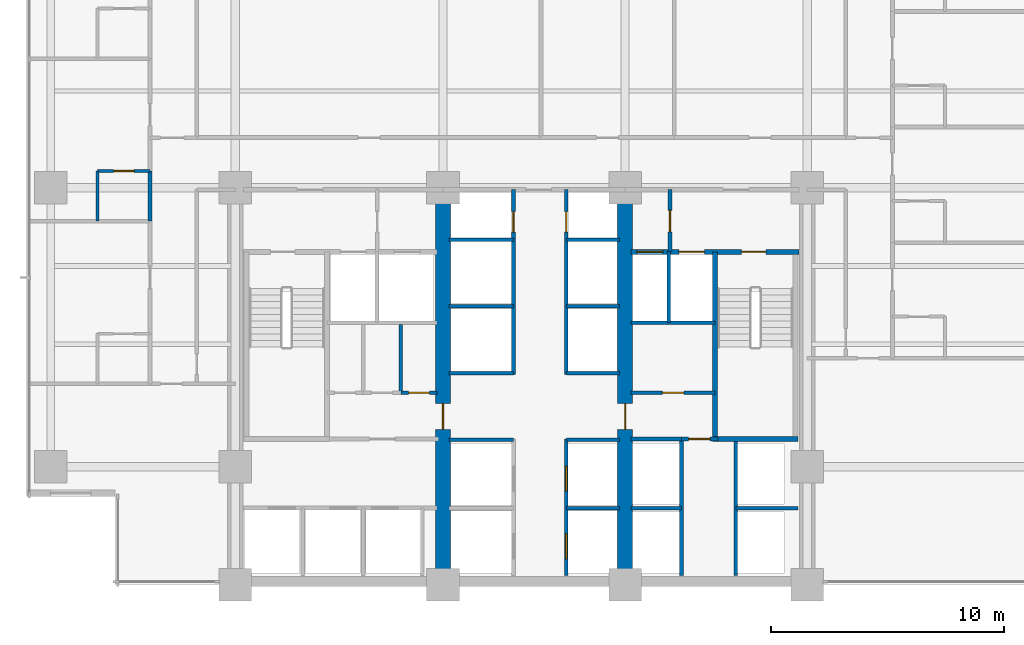
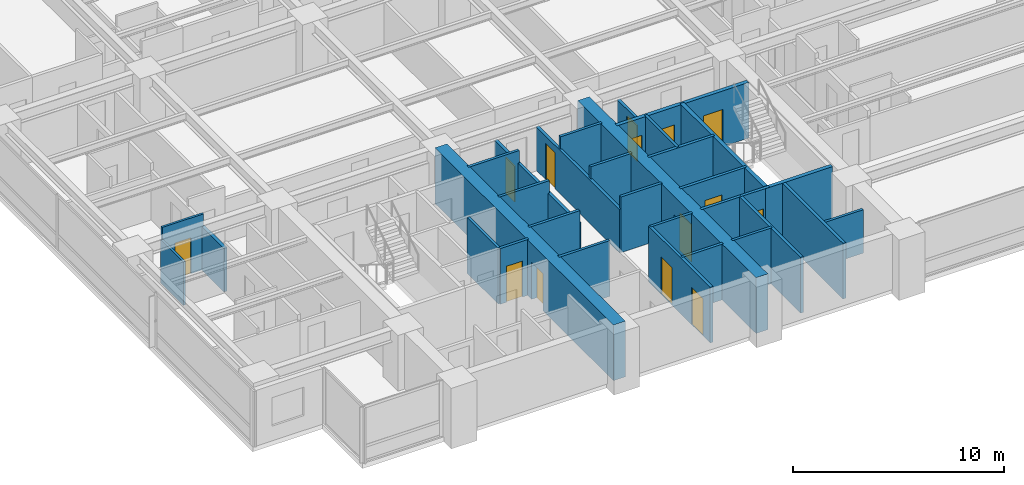
# One storey, part 8 of 17: 32 walls, 14 doors, 14 openings.
"""IFC4 building model written with IfcOpenShell, lengths in metres."""

from ifc_helpers import new_model, si_unit, direction, frame, frame_2d, origin, place, context, subcontext, project, spatial, rectangle, extrude, material, layer, layer_set, type_object, element, fill, save


model = new_model("IFC4")

# Units and contexts
model_context = context("Model", 3, precision=1e-05, world=origin(), true_north=direction((0.0, 1.0)))
body_context = subcontext(model_context, "Body", "Model", "MODEL_VIEW")
ifc_project = project(units=[si_unit("LENGTHUNIT", "METRE"), si_unit("AREAUNIT", "SQUARE_METRE"), si_unit("VOLUMEUNIT", "CUBIC_METRE"), si_unit("PLANEANGLEUNIT", "RADIAN"), si_unit("MASSUNIT", "GRAM", prefix="KILO")], contexts=[model_context])

# Site, building, storey
site_placement = place(None, origin())
site = spatial("IfcSite", under=ifc_project, at=site_placement, CompositionType="ELEMENT")
building_placement = place(site_placement, origin())
building = spatial("IfcBuilding", under=site, at=building_placement, Name="Qalmaran Belvedere Hotel", CompositionType="ELEMENT")
storey_placement = place(building_placement, frame((0.0, 0.0, 33.39990234375)))
storey = spatial("IfcBuildingStorey", under=building, at=storey_placement, Name="L07", CompositionType="ELEMENT", Elevation=33.39990234375)

# Wall, opening, door
ifc_material_1 = material(Name="Concrete C60/75", Category="concrete")
ifc_layer_1 = layer(ifc_material_1, 0.64990234375, Name="Concrete C60/75")
ifc_layer_set_1 = layer_set([ifc_layer_1], Name="Concrete C60/75")
wall_type_1 = type_object("IfcWallType", Name="WL-CORE-650-C60", PredefinedType="SHEAR", material=ifc_layer_set_1)
wall_1_placement = place(storey_placement, frame((29.199951171875, 3.5, 0.0), z_axis=(0.0, 0.0, 1.0), x_axis=(0.0, 1.0, 0.0)))
wall_1 = element("IfcWall", 1, at=wall_1_placement, inside=storey, type_object=wall_type_1, Name="L07 Core West Spine Shear Wall", PredefinedType="SHEAR", context=body_context, shape_type="SweptSolid", body=[
    extrude(rectangle(XDim=16.89990234375, YDim=0.64990234375, at=frame_2d((8.449951171875, 0.0))), origin(), (0.0, 0.0, 1.0), 3.22021484375),
])
opening_1_placement = place(wall_1_placement, frame((7.75, 0.0, 0.0), z_axis=(0.0, 0.0, 1.0), x_axis=(-1.0, 0.0, 0.0)))
opening_1 = element("IfcOpeningElement", 2, at=opening_1_placement, cuts=wall_1, Name="Opening FD90", PredefinedType="OPENING", context=body_context, shape_type="SweptSolid", body=[
    extrude(rectangle(XDim=1.10009765625, YDim=2.14990234375, at=frame_2d((0.550048828125, 1.074951171875))), frame((0.0, 0.3349609375, 0.0), z_axis=(0.0, -1.0, 0.0), x_axis=(1.0, 0.0, 0.0)), (0.0, 0.0, 1.0), 0.669921875),
])
ifc_material_2 = material(Name="Steel S355JR", Category="steel")
door_type_1 = type_object("IfcDoorType", Name="DR-FD90-1100X2150", OperationType="NOTDEFINED", PredefinedType="DOOR", material=ifc_material_2)
door_1_placement = place(opening_1_placement, origin())
door_1 = element("IfcDoor", 3, at=door_1_placement, inside=storey, type_object=door_type_1, Name="L07 Core West Cross-Lobby Door", OperationType="SINGLE_SWING_RIGHT", OverallHeight=2.14990234375, OverallWidth=1.10009765625, PredefinedType="DOOR", context=body_context, shape_type="SweptSolid", body=[
    extrude(rectangle(XDim=1.10009765625, YDim=2.14990234375, at=frame_2d((0.550048828125, 1.074951171875))), frame((0.0, 0.02490234375, 0.0), z_axis=(0.0, -1.0, 0.0), x_axis=(1.0, 0.0, 0.0)), (0.0, 0.0, 1.0), 0.050048828125),
])
fill(opening_1, door_1)

wall_2_placement = place(storey_placement, frame((37.0, 3.5, 0.0), z_axis=(0.0, 0.0, 1.0), x_axis=(0.0, 1.0, 0.0)))
wall_2 = element("IfcWall", 4, at=wall_2_placement, inside=storey, type_object=wall_type_1, Name="L07 Core East Spine Shear Wall", PredefinedType="SHEAR", context=body_context, shape_type="SweptSolid", body=[
    extrude(rectangle(XDim=16.89990234375, YDim=0.64990234375, at=frame_2d((8.449951171875, 0.0))), origin(), (0.0, 0.0, 1.0), 3.22021484375),
])
opening_2_placement = place(wall_2_placement, frame((6.64990234375, 0.0, 0.0)))
opening_2 = element("IfcOpeningElement", 5, at=opening_2_placement, cuts=wall_2, Name="Opening FD90", PredefinedType="OPENING", context=body_context, shape_type="SweptSolid", body=[
    extrude(rectangle(XDim=1.10009765625, YDim=2.14990234375, at=frame_2d((0.550048828125, 1.074951171875))), frame((0.0, 0.3349609375, 0.0), z_axis=(0.0, -1.0, 0.0), x_axis=(1.0, 0.0, 0.0)), (0.0, 0.0, 1.0), 0.669921875),
])
door_2_placement = place(opening_2_placement, origin())
door_2 = element("IfcDoor", 6, at=door_2_placement, inside=storey, type_object=door_type_1, Name="L07 Core East Cross-Lobby Door", OperationType="SINGLE_SWING_LEFT", OverallHeight=2.14990234375, OverallWidth=1.10009765625, PredefinedType="DOOR", context=body_context, shape_type="SweptSolid", body=[
    extrude(rectangle(XDim=1.10009765625, YDim=2.14990234375, at=frame_2d((0.550048828125, 1.074951171875))), frame((0.0, 0.02490234375, 0.0), z_axis=(0.0, -1.0, 0.0), x_axis=(1.0, 0.0, 0.0)), (0.0, 0.0, 1.0), 0.050048828125),
])
fill(opening_2, door_2)

ifc_material_3 = material(Name="Moisture-Resistant Gypsum")
ifc_layer_2 = layer(ifc_material_3, 0.1201171875, Name="Moisture-Resistant Gypsum")
ifc_layer_set_2 = layer_set([ifc_layer_2], Name="Moisture-Resistant Gypsum")
wall_type_2 = type_object("IfcWallType", Name="WL-INT-120-BATH", PredefinedType="PARTITIONING", material=ifc_layer_set_2)
wall_3_placement = place(storey_placement, frame((14.39990234375, 21.216796875, 0.0), z_axis=(0.0, 0.0, 1.0), x_axis=(1.0, 0.0, 0.0)))
wall_3 = element("IfcWall", 7, at=wall_3_placement, inside=storey, type_object=wall_type_2, Name="L07 Partition WL-L07-WBN01", PredefinedType="PARTITIONING", context=body_context, shape_type="SweptSolid", body=[
    extrude(rectangle(XDim=2.25, YDim=0.1201171875, at=frame_2d((1.125, 0.0))), origin(), (0.0, 0.0, 1.0), 3.22021484375),
])
opening_3_placement = place(wall_3_placement, frame((1.56494140625, 0.0, 0.0), z_axis=(0.0, 0.0, 1.0), x_axis=(-1.0, 0.0, 0.0)))
opening_3 = element("IfcOpeningElement", 8, at=opening_3_placement, cuts=wall_3, Name="Opening D-BATH", PredefinedType="OPENING", context=body_context, shape_type="SweptSolid", body=[
    extrude(rectangle(XDim=0.8798828125, YDim=2.080078125, at=frame_2d((0.43994140625, 1.0400390625))), frame((0.0, 0.070068359375, 0.0), z_axis=(0.0, -1.0, 0.0), x_axis=(1.0, 0.0, 0.0)), (0.0, 0.0, 1.0), 0.14013671875),
])
ifc_material_4 = material(Name="Engineered Oak Veneer")
door_type_2 = type_object("IfcDoorType", Name="DR-INT-BATH-880X2080", OperationType="NOTDEFINED", PredefinedType="DOOR", material=ifc_material_4)
door_3_placement = place(opening_3_placement, origin())
door_3 = element("IfcDoor", 9, at=door_3_placement, inside=storey, type_object=door_type_2, Name="L07 W Ensuite Door 02", OperationType="SINGLE_SWING_RIGHT", OverallHeight=2.080078125, OverallWidth=0.8798828125, PredefinedType="DOOR", context=body_context, shape_type="SweptSolid", body=[
    extrude(rectangle(XDim=0.8798828125, YDim=2.080078125, at=frame_2d((0.43994140625, 1.0400390625))), frame((0.0, 0.02490234375, 0.0), z_axis=(0.0, -1.0, 0.0), x_axis=(1.0, 0.0, 0.0)), (0.0, 0.0, 1.0), 0.050048828125),
])
fill(opening_3, door_3)

# Walls
wall_4_placement = place(storey_placement, frame((14.39990234375, 19.066650390625, 0.0), z_axis=(0.0, 0.0, 1.0), x_axis=(0.0, 1.0, 0.0)))
element("IfcWall", 10, at=wall_4_placement, inside=storey, type_object=wall_type_2, Name="L07 Partition WL-L07-WBS01", PredefinedType="PARTITIONING", context=body_context, shape_type="SweptSolid", body=[
    extrude(rectangle(XDim=2.150146484375, YDim=0.1201171875, at=frame_2d((1.0751953125, 0.0))), origin(), (0.0, 0.0, 1.0), 2.510009765625),
])
ifc_material_5 = material(Name="Gypsum Stud Partition")
ifc_layer_3 = layer(ifc_material_5, 0.14990234375, Name="Gypsum Stud Partition")
ifc_layer_set_3 = layer_set([ifc_layer_3], Name="Gypsum Stud Partition")
wall_type_3 = type_object("IfcWallType", Name="WL-INT-150-EI120", PredefinedType="PARTITIONING", material=ifc_layer_set_3)
wall_5_placement = place(storey_placement, frame((38.8798828125, 14.719970703125, 0.0), z_axis=(0.0, 0.0, 1.0), x_axis=(0.0, 1.0, 0.0)))
element("IfcWall", 11, at=wall_5_placement, inside=storey, type_object=wall_type_3, Name="L07 Partition WL-FF2M-L07", PredefinedType="PARTITIONING", context=body_context, shape_type="SweptSolid", body=[
    extrude(rectangle(XDim=3.0400390625, YDim=0.14990234375, at=frame_2d((1.52001953125, 0.0))), origin(), (0.0, 0.0, 1.0), 3.22021484375),
])
wall_6_placement = place(storey_placement, frame((37.25, 6.780029296875, 0.0), z_axis=(0.0, 0.0, 1.0), x_axis=(1.0, 0.0, 0.0)))
element("IfcWall", 12, at=wall_6_placement, inside=storey, type_object=wall_type_3, Name="L07 Partition WL-PHMW-L07", PredefinedType="PARTITIONING", context=body_context, shape_type="SweptSolid", body=[
    extrude(rectangle(XDim=2.169921875, YDim=0.14990234375, at=frame_2d((1.0849609375, 0.0))), origin(), (0.0, 0.0, 1.0), 3.22021484375),
])
wall_7_placement = place(storey_placement, frame((41.739990234375, 6.780029296875, 0.0), z_axis=(0.0, 0.0, 1.0), x_axis=(1.0, 0.0, 0.0)))
element("IfcWall", 13, at=wall_7_placement, inside=storey, type_object=wall_type_3, Name="L07 Partition WL-PHME-L07", PredefinedType="PARTITIONING", context=body_context, shape_type="SweptSolid", body=[
    extrude(rectangle(XDim=2.659912109375, YDim=0.14990234375, at=frame_2d((1.330078125, 0.0))), origin(), (0.0, 0.0, 1.0), 2.510009765625),
])
wall_8_placement = place(storey_placement, frame((34.47998046875, 6.780029296875, 0.0), z_axis=(0.0, 0.0, 1.0), x_axis=(1.0, 0.0, 0.0)))
element("IfcWall", 14, at=wall_8_placement, inside=storey, type_object=wall_type_3, Name="L07 Partition WL-PLE-L07-67", PredefinedType="PARTITIONING", context=body_context, shape_type="SweptSolid", body=[
    extrude(rectangle(XDim=2.27001953125, YDim=0.14990234375, at=frame_2d((1.135009765625, 0.0))), origin(), (0.0, 0.0, 1.0), 3.22021484375),
])
wall_9_placement = place(storey_placement, frame((29.449951171875, 9.699951171875, 0.0), z_axis=(0.0, 0.0, 1.0), x_axis=(1.0, 0.0, 0.0)))
element("IfcWall", 15, at=wall_9_placement, inside=storey, type_object=wall_type_3, Name="L07 Partition WL-PLW-L07-97", PredefinedType="PARTITIONING", context=body_context, shape_type="SweptSolid", body=[
    extrude(rectangle(XDim=2.77001953125, YDim=0.14990234375, at=frame_2d((1.385009765625, 0.0))), origin(), (0.0, 0.0, 1.0), 3.22021484375),
])
wall_10_placement = place(storey_placement, frame((34.47998046875, 9.699951171875, 0.0), z_axis=(0.0, 0.0, 1.0), x_axis=(1.0, 0.0, 0.0)))
element("IfcWall", 16, at=wall_10_placement, inside=storey, type_object=wall_type_3, Name="L07 Partition WL-PLE-L07-97", PredefinedType="PARTITIONING", context=body_context, shape_type="SweptSolid", body=[
    extrude(rectangle(XDim=2.27001953125, YDim=0.14990234375, at=frame_2d((1.135009765625, 0.0))), origin(), (0.0, 0.0, 1.0), 3.22021484375),
])
wall_11_placement = place(storey_placement, frame((29.449951171875, 12.550048828125, 0.0), z_axis=(0.0, 0.0, 1.0), x_axis=(1.0, 0.0, 0.0)))
element("IfcWall", 17, at=wall_11_placement, inside=storey, type_object=wall_type_3, Name="L07 Partition WL-PMW-L07-125", PredefinedType="PARTITIONING", context=body_context, shape_type="SweptSolid", body=[
    extrude(rectangle(XDim=2.77001953125, YDim=0.14990234375, at=frame_2d((1.385009765625, 0.0))), origin(), (0.0, 0.0, 1.0), 3.22021484375),
])
wall_12_placement = place(storey_placement, frame((34.47998046875, 12.550048828125, 0.0), z_axis=(0.0, 0.0, 1.0), x_axis=(1.0, 0.0, 0.0)))
element("IfcWall", 18, at=wall_12_placement, inside=storey, type_object=wall_type_3, Name="L07 Partition WL-PME-L07-125", PredefinedType="PARTITIONING", context=body_context, shape_type="SweptSolid", body=[
    extrude(rectangle(XDim=2.27001953125, YDim=0.14990234375, at=frame_2d((1.135009765625, 0.0))), origin(), (0.0, 0.0, 1.0), 3.22021484375),
])
wall_13_placement = place(storey_placement, frame((29.449951171875, 15.419921875, 0.0), z_axis=(0.0, 0.0, 1.0), x_axis=(1.0, 0.0, 0.0)))
element("IfcWall", 19, at=wall_13_placement, inside=storey, type_object=wall_type_3, Name="L07 Partition WL-PMW-L07-154", PredefinedType="PARTITIONING", context=body_context, shape_type="SweptSolid", body=[
    extrude(rectangle(XDim=2.77001953125, YDim=0.14990234375, at=frame_2d((1.385009765625, 0.0))), origin(), (0.0, 0.0, 1.0), 3.22021484375),
])
wall_14_placement = place(storey_placement, frame((34.47998046875, 15.419921875, 0.0), z_axis=(0.0, 0.0, 1.0), x_axis=(1.0, 0.0, 0.0)))
element("IfcWall", 20, at=wall_14_placement, inside=storey, type_object=wall_type_3, Name="L07 Partition WL-PME-L07-154", PredefinedType="PARTITIONING", context=body_context, shape_type="SweptSolid", body=[
    extrude(rectangle(XDim=2.27001953125, YDim=0.14990234375, at=frame_2d((1.135009765625, 0.0))), origin(), (0.0, 0.0, 1.0), 3.22021484375),
])
wall_15_placement = place(storey_placement, frame((29.449951171875, 18.280029296875, 0.0), z_axis=(0.0, 0.0, 1.0), x_axis=(1.0, 0.0, 0.0)))
element("IfcWall", 21, at=wall_15_placement, inside=storey, type_object=wall_type_3, Name="L07 Partition WL-PMW-L07-182", PredefinedType="PARTITIONING", context=body_context, shape_type="SweptSolid", body=[
    extrude(rectangle(XDim=2.77001953125, YDim=0.14990234375, at=frame_2d((1.385009765625, 0.0))), origin(), (0.0, 0.0, 1.0), 3.22021484375),
])
wall_16_placement = place(storey_placement, frame((34.47998046875, 18.280029296875, 0.0), z_axis=(0.0, 0.0, 1.0), x_axis=(1.0, 0.0, 0.0)))
element("IfcWall", 22, at=wall_16_placement, inside=storey, type_object=wall_type_3, Name="L07 Partition WL-PME-L07-182", PredefinedType="PARTITIONING", context=body_context, shape_type="SweptSolid", body=[
    extrude(rectangle(XDim=2.27001953125, YDim=0.14990234375, at=frame_2d((1.135009765625, 0.0))), origin(), (0.0, 0.0, 1.0), 3.22021484375),
])
ifc_layer_4 = layer(ifc_material_5, 0.14990234375, Name="Gypsum Stud Partition")
ifc_layer_set_4 = layer_set([ifc_layer_4], Name="Gypsum Stud Partition")
wall_type_4 = type_object("IfcWallType", Name="WL-INT-150-EI60", PredefinedType="PARTITIONING", material=ifc_layer_set_4)
wall_17_placement = place(storey_placement, frame((27.38916015625, 11.719970703125, 0.0), z_axis=(0.0, 0.0, 1.0), x_axis=(0.0, 1.0, 0.0)))
element("IfcWall", 23, at=wall_17_placement, inside=storey, type_object=wall_type_4, Name="L07 Partition WL-L07-KWV2", PredefinedType="PARTITIONING", context=body_context, shape_type="SweptSolid", body=[
    extrude(rectangle(XDim=2.929931640625, YDim=0.14990234375, at=frame_2d((1.46484375, 0.0))), origin(), (0.0, 0.0, 1.0), 3.22021484375),
])

# Wall, opening, door
ifc_layer_5 = layer(ifc_material_5, 0.159912109375, Name="Gypsum Stud Partition")
ifc_layer_set_5 = layer_set([ifc_layer_5], Name="Gypsum Stud Partition")
wall_type_5 = type_object("IfcWallType", Name="WL-INT-160-EI120", PredefinedType="PARTITIONING", material=ifc_layer_set_5)
wall_18_placement = place(storey_placement, frame((38.919921875, 17.760009765625, 0.0), z_axis=(0.0, 0.0, 1.0), x_axis=(0.0, 1.0, 0.0)))
wall_18 = element("IfcWall", 24, at=wall_18_placement, inside=storey, type_object=wall_type_5, Name="L07 Partition WL-FFSV2-L07", PredefinedType="PARTITIONING", context=body_context, shape_type="SweptSolid", body=[
    extrude(rectangle(XDim=2.659912109375, YDim=0.159912109375, at=frame_2d((1.330078125, 0.0))), origin(), (0.0, 0.0, 1.0), 2.510009765625),
])
opening_4_placement = place(wall_18_placement, frame((1.77001953125, 0.0, 0.0), z_axis=(0.0, 0.0, 1.0), x_axis=(-1.0, 0.0, 0.0)))
opening_4 = element("IfcOpeningElement", 25, at=opening_4_placement, cuts=wall_18, Name="Opening FD60S1", PredefinedType="OPENING", context=body_context, shape_type="SweptSolid", body=[
    extrude(rectangle(XDim=0.919921875, YDim=2.080078125, at=frame_2d((0.4599609375, 1.0400390625))), frame((0.0, 0.08984375, 0.0), z_axis=(0.0, -1.0, 0.0), x_axis=(1.0, 0.0, 0.0)), (0.0, 0.0, 1.0), 0.179931640625),
])
door_type_3 = type_object("IfcDoorType", Name="DR-FD60S-920X2080", OperationType="NOTDEFINED", PredefinedType="DOOR", material=ifc_material_4)
door_4_placement = place(opening_4_placement, origin())
door_4 = element("IfcDoor", 26, at=door_4_placement, inside=storey, type_object=door_type_3, Name="L07 Service Lobby East Door", OperationType="SINGLE_SWING_LEFT", OverallHeight=2.080078125, OverallWidth=0.919921875, PredefinedType="DOOR", context=body_context, shape_type="SweptSolid", body=[
    extrude(rectangle(XDim=0.919921875, YDim=2.080078125, at=frame_2d((0.4599609375, 1.0400390625))), frame((0.0, 0.02490234375, 0.0), z_axis=(0.0, -1.0, 0.0), x_axis=(1.0, 0.0, 0.0)), (0.0, 0.0, 1.0), 0.050048828125),
])
fill(opening_4, door_4)

# Walls
wall_19_placement = place(storey_placement, frame((37.25, 14.719970703125, 0.0), z_axis=(0.0, 0.0, 1.0), x_axis=(1.0, 0.0, 0.0)))
element("IfcWall", 27, at=wall_19_placement, inside=storey, type_object=wall_type_5, Name="L07 Partition WL-FF2S-L07", PredefinedType="PARTITIONING", context=body_context, shape_type="SweptSolid", body=[
    extrude(rectangle(XDim=3.610107421875, YDim=0.159912109375, at=frame_2d((1.80517578125, 0.0))), origin(), (0.0, 0.0, 1.0), 3.22021484375),
])
for number, where, z_axis, x_axis, name in (
    (28, (39.419921875, 3.89990234375, 0.0), (0.0, 0.0, 1.0), (0.0, 1.0, 0.0), "L07 Partition WL-PHW-L07"),
    (29, (41.739990234375, 3.89990234375, 0.0), (0.0, 0.0, 1.0), (0.0, 1.0, 0.0), "L07 Partition WL-PHE-L07"),
):
    element("IfcWall", number, at=place(storey_placement, frame(where, z_axis=z_axis, x_axis=x_axis)), inside=storey, type_object=wall_type_5, Name=name, PredefinedType="PARTITIONING", context=body_context, shape_type="SweptSolid", body=[
        extrude(rectangle(XDim=5.840087890625, YDim=0.159912109375, at=frame_2d((2.919921875, 0.0))), origin(), (0.0, 0.0, 1.0), 3.22021484375),
    ])
wall_20_placement = place(storey_placement, frame((37.25, 9.739990234375, 0.0), z_axis=(0.0, 0.0, 1.0), x_axis=(1.0, 0.0, 0.0)))
element("IfcWall", 30, at=wall_20_placement, inside=storey, type_object=wall_type_5, Name="L07 Partition WL-PHNW-L07", PredefinedType="PARTITIONING", context=body_context, shape_type="SweptSolid", body=[
    extrude(rectangle(XDim=2.169921875, YDim=0.159912109375, at=frame_2d((1.0849609375, 0.0))), origin(), (0.0, 0.0, 1.0), 3.22021484375),
])

# Wall, opening, door
wall_21_placement = place(storey_placement, frame((39.419921875, 9.739990234375, 0.0), z_axis=(0.0, 0.0, 1.0), x_axis=(1.0, 0.0, 0.0)))
wall_21 = element("IfcWall", 31, at=wall_21_placement, inside=storey, type_object=wall_type_5, Name="L07 Partition WL-PHNL-L07", PredefinedType="PARTITIONING", context=body_context, shape_type="SweptSolid", body=[
    extrude(rectangle(XDim=1.56005859375, YDim=0.159912109375, at=frame_2d((0.780029296875, 0.0))), origin(), (0.0, 0.0, 1.0), 3.22021484375),
])
opening_5_placement = place(wall_21_placement, frame((0.300048828125, 0.0, 0.0)))
opening_5 = element("IfcOpeningElement", 32, at=opening_5_placement, cuts=wall_21, Name="Opening FD60S1", PredefinedType="OPENING", context=body_context, shape_type="SweptSolid", body=[
    extrude(rectangle(XDim=0.919921875, YDim=2.080078125, at=frame_2d((0.4599609375, 1.0400390625))), frame((0.0, 0.08984375, 0.0), z_axis=(0.0, -1.0, 0.0), x_axis=(1.0, 0.0, 0.0)), (0.0, 0.0, 1.0), 0.179931640625),
])
door_5_placement = place(opening_5_placement, origin())
door_5 = element("IfcDoor", 33, at=door_5_placement, inside=storey, type_object=door_type_3, Name="L07 High-Rise Lift Lobby Passage Door", OperationType="SINGLE_SWING_RIGHT", OverallHeight=2.080078125, OverallWidth=0.919921875, PredefinedType="DOOR", context=body_context, shape_type="SweptSolid", body=[
    extrude(rectangle(XDim=0.919921875, YDim=2.080078125, at=frame_2d((0.4599609375, 1.0400390625))), frame((0.0, 0.02490234375, 0.0), z_axis=(0.0, -1.0, 0.0), x_axis=(1.0, 0.0, 0.0)), (0.0, 0.0, 1.0), 0.050048828125),
])
fill(opening_5, door_5)

# Wall, openings, doors
wall_22_placement = place(storey_placement, frame((34.47998046875, 3.89990234375, 0.0), z_axis=(0.0, 0.0, 1.0), x_axis=(0.0, 1.0, 0.0)))
wall_22 = element("IfcWall", 34, at=wall_22_placement, inside=storey, type_object=wall_type_5, Name="L07 Partition WL-CLBES-L07", PredefinedType="PARTITIONING", context=body_context, shape_type="SweptSolid", body=[
    extrude(rectangle(XDim=5.840087890625, YDim=0.159912109375, at=frame_2d((2.919921875, 0.0))), origin(), (0.0, 0.0, 1.0), 3.22021484375),
])
opening_6_placement = place(wall_22_placement, frame((0.699951171875, 0.0, 0.0)))
opening_6 = element("IfcOpeningElement", 35, at=opening_6_placement, cuts=wall_22, Name="Opening LD-P1", PredefinedType="OPENING", context=body_context, shape_type="SweptSolid", body=[
    extrude(rectangle(XDim=1.080078125, YDim=2.159912109375, at=frame_2d((0.5400390625, 1.080078125))), frame((0.0, 0.08984375, 0.0), z_axis=(0.0, -1.0, 0.0), x_axis=(1.0, 0.0, 0.0)), (0.0, 0.0, 1.0), 0.179931640625),
])
opening_7_placement = place(wall_22_placement, frame((3.60009765625, 0.0, 0.0)))
opening_7 = element("IfcOpeningElement", 36, at=opening_7_placement, cuts=wall_22, Name="Opening LD-P1", PredefinedType="OPENING", context=body_context, shape_type="SweptSolid", body=[
    extrude(rectangle(XDim=1.080078125, YDim=2.159912109375, at=frame_2d((0.5400390625, 1.080078125))), frame((0.0, 0.08984375, 0.0), z_axis=(0.0, -1.0, 0.0), x_axis=(1.0, 0.0, 0.0)), (0.0, 0.0, 1.0), 0.179931640625),
])
ifc_material_6 = material(Name="Stainless Steel 1.4401", Category="steel")
door_type_4 = type_object("IfcDoorType", Name="DR-LIFT-P1-1080X2160", OperationType="DOUBLE_DOOR_SLIDING", PredefinedType="DOOR", material=ifc_material_6)
door_6_placement = place(opening_6_placement, origin())
door_6 = element("IfcDoor", 37, at=door_6_placement, inside=storey, type_object=door_type_4, Name="L07 PL3 Lift Landing Door", OperationType="DOUBLE_DOOR_SLIDING", OverallHeight=2.159912109375, OverallWidth=1.080078125, PredefinedType="DOOR", context=body_context, shape_type="SweptSolid", body=[
    extrude(rectangle(XDim=1.080078125, YDim=2.159912109375, at=frame_2d((0.5400390625, 1.080078125))), frame((0.0, 0.02490234375, 0.0), z_axis=(0.0, -1.0, 0.0), x_axis=(1.0, 0.0, 0.0)), (0.0, 0.0, 1.0), 0.050048828125),
])
fill(opening_6, door_6)
door_7_placement = place(opening_7_placement, origin())
door_7 = element("IfcDoor", 38, at=door_7_placement, inside=storey, type_object=door_type_4, Name="L07 PL4 Lift Landing Door", OperationType="DOUBLE_DOOR_SLIDING", OverallHeight=2.159912109375, OverallWidth=1.080078125, PredefinedType="DOOR", context=body_context, shape_type="SweptSolid", body=[
    extrude(rectangle(XDim=1.080078125, YDim=2.159912109375, at=frame_2d((0.5400390625, 1.080078125))), frame((0.0, 0.02490234375, 0.0), z_axis=(0.0, -1.0, 0.0), x_axis=(1.0, 0.0, 0.0)), (0.0, 0.0, 1.0), 0.050048828125),
])
fill(opening_7, door_7)

# Wall, opening, door
wall_23_placement = place(storey_placement, frame((32.219970703125, 12.5, 0.0), z_axis=(0.0, 0.0, 1.0), x_axis=(0.0, 1.0, 0.0)))
wall_23 = element("IfcWall", 39, at=wall_23_placement, inside=storey, type_object=wall_type_5, Name="L07 Partition WL-CLBWN-L07", PredefinedType="PARTITIONING", context=body_context, shape_type="SweptSolid", body=[
    extrude(rectangle(XDim=7.919921875, YDim=0.159912109375, at=frame_2d((3.9599609375, 0.0))), origin(), (0.0, 0.0, 1.0), 2.510009765625),
])
opening_8_placement = place(wall_23_placement, frame((6.10009765625, 0.0, 0.0)))
opening_8 = element("IfcOpeningElement", 40, at=opening_8_placement, cuts=wall_23, Name="Opening FD60B", PredefinedType="OPENING", context=body_context, shape_type="SweptSolid", body=[
    extrude(rectangle(XDim=0.8798828125, YDim=2.080078125, at=frame_2d((0.43994140625, 1.0400390625))), frame((0.0, 0.08984375, 0.0), z_axis=(0.0, -1.0, 0.0), x_axis=(1.0, 0.0, 0.0)), (0.0, 0.0, 1.0), 0.179931640625),
])
door_type_5 = type_object("IfcDoorType", Name="DR-FD60B-880X2080", OperationType="NOTDEFINED", PredefinedType="DOOR", material=ifc_material_2)
door_8_placement = place(opening_8_placement, origin())
door_8 = element("IfcDoor", 41, at=door_8_placement, inside=storey, type_object=door_type_5, Name="L07 West Riser Access Door", OperationType="SINGLE_SWING_LEFT", OverallHeight=2.080078125, OverallWidth=0.8798828125, PredefinedType="DOOR", context=body_context, shape_type="SweptSolid", body=[
    extrude(rectangle(XDim=0.8798828125, YDim=2.080078125, at=frame_2d((0.43994140625, 1.0400390625))), frame((0.0, 0.02490234375, 0.0), z_axis=(0.0, -1.0, 0.0), x_axis=(1.0, 0.0, 0.0)), (0.0, 0.0, 1.0), 0.050048828125),
])
fill(opening_8, door_8)

wall_24_placement = place(storey_placement, frame((34.47998046875, 12.5, 0.0), z_axis=(0.0, 0.0, 1.0), x_axis=(0.0, 1.0, 0.0)))
wall_24 = element("IfcWall", 42, at=wall_24_placement, inside=storey, type_object=wall_type_5, Name="L07 Partition WL-CLBEN-L07", PredefinedType="PARTITIONING", context=body_context, shape_type="SweptSolid", body=[
    extrude(rectangle(XDim=7.919921875, YDim=0.159912109375, at=frame_2d((3.9599609375, 0.0))), origin(), (0.0, 0.0, 1.0), 2.510009765625),
])
opening_9_placement = place(wall_24_placement, frame((6.97998046875, 0.0, 0.0), z_axis=(0.0, 0.0, 1.0), x_axis=(-1.0, 0.0, 0.0)))
opening_9 = element("IfcOpeningElement", 43, at=opening_9_placement, cuts=wall_24, Name="Opening FD60B", PredefinedType="OPENING", context=body_context, shape_type="SweptSolid", body=[
    extrude(rectangle(XDim=0.8798828125, YDim=2.080078125, at=frame_2d((0.43994140625, 1.0400390625))), frame((0.0, 0.08984375, 0.0), z_axis=(0.0, -1.0, 0.0), x_axis=(1.0, 0.0, 0.0)), (0.0, 0.0, 1.0), 0.179931640625),
])
door_9_placement = place(opening_9_placement, origin())
door_9 = element("IfcDoor", 44, at=door_9_placement, inside=storey, type_object=door_type_5, Name="L07 East Riser Access Door", OperationType="SINGLE_SWING_RIGHT", OverallHeight=2.080078125, OverallWidth=0.8798828125, PredefinedType="DOOR", context=body_context, shape_type="SweptSolid", body=[
    extrude(rectangle(XDim=0.8798828125, YDim=2.080078125, at=frame_2d((0.43994140625, 1.0400390625))), frame((0.0, 0.02490234375, 0.0), z_axis=(0.0, -1.0, 0.0), x_axis=(1.0, 0.0, 0.0)), (0.0, 0.0, 1.0), 0.050048828125),
])
fill(opening_9, door_9)

ifc_layer_6 = layer(ifc_material_5, 0.159912109375, Name="Gypsum Stud Partition")
ifc_layer_set_6 = layer_set([ifc_layer_6], Name="Gypsum Stud Partition")
wall_type_6 = type_object("IfcWallType", Name="WL-INT-160-EI60", PredefinedType="PARTITIONING", material=ifc_layer_set_6)
wall_25_placement = place(storey_placement, frame((27.38916015625, 11.719970703125, 0.0), z_axis=(0.0, 0.0, 1.0), x_axis=(1.0, 0.0, 0.0)))
wall_25 = element("IfcWall", 45, at=wall_25_placement, inside=storey, type_object=wall_type_6, Name="L07 Partition WL-L07-KWE3", PredefinedType="PARTITIONING", context=body_context, shape_type="SweptSolid", body=[
    extrude(rectangle(XDim=1.560791015625, YDim=0.159912109375, at=frame_2d((0.7802734375, 0.0))), origin(), (0.0, 0.0, 1.0), 3.22021484375),
])
opening_10_placement = place(wall_25_placement, frame((0.340576171875, 0.0, 0.0)))
opening_10 = element("IfcOpeningElement", 46, at=opening_10_placement, cuts=wall_25, Name="Opening FD60B", PredefinedType="OPENING", context=body_context, shape_type="SweptSolid", body=[
    extrude(rectangle(XDim=0.8798828125, YDim=2.080078125, at=frame_2d((0.43994140625, 1.0400390625))), frame((0.0, 0.08984375, 0.0), z_axis=(0.0, -1.0, 0.0), x_axis=(1.0, 0.0, 0.0)), (0.0, 0.0, 1.0), 0.179931640625),
])
door_10_placement = place(opening_10_placement, origin())
door_10 = element("IfcDoor", 47, at=door_10_placement, inside=storey, type_object=door_type_5, Name="L07 Telecom and IT Room Door", OperationType="SINGLE_SWING_LEFT", OverallHeight=2.080078125, OverallWidth=0.8798828125, PredefinedType="DOOR", context=body_context, shape_type="SweptSolid", body=[
    extrude(rectangle(XDim=0.8798828125, YDim=2.080078125, at=frame_2d((0.43994140625, 1.0400390625))), frame((0.0, 0.02490234375, 0.0), z_axis=(0.0, -1.0, 0.0), x_axis=(1.0, 0.0, 0.0)), (0.0, 0.0, 1.0), 0.050048828125),
])
fill(opening_10, door_10)

wall_26_placement = place(storey_placement, frame((37.25, 11.719970703125, 0.0), z_axis=(0.0, 0.0, 1.0), x_axis=(1.0, 0.0, 0.0)))
wall_26 = element("IfcWall", 48, at=wall_26_placement, inside=storey, type_object=wall_type_6, Name="L07 Partition WL-L07-KEE1", PredefinedType="PARTITIONING", context=body_context, shape_type="SweptSolid", body=[
    extrude(rectangle(XDim=3.610107421875, YDim=0.159912109375, at=frame_2d((1.80517578125, 0.0))), origin(), (0.0, 0.0, 1.0), 3.22021484375),
])
opening_11_placement = place(wall_26_placement, frame((1.344970703125, 0.0, 0.0)))
opening_11 = element("IfcOpeningElement", 49, at=opening_11_placement, cuts=wall_26, Name="Opening FD60S1", PredefinedType="OPENING", context=body_context, shape_type="SweptSolid", body=[
    extrude(rectangle(XDim=0.919921875, YDim=2.080078125, at=frame_2d((0.4599609375, 1.0400390625))), frame((0.0, 0.08984375, 0.0), z_axis=(0.0, -1.0, 0.0), x_axis=(1.0, 0.0, 0.0)), (0.0, 0.0, 1.0), 0.179931640625),
])
door_11_placement = place(opening_11_placement, origin())
door_11 = element("IfcDoor", 50, at=door_11_placement, inside=storey, type_object=door_type_3, Name="L07 Guest Ice and Beverage Pantry Door", OperationType="SINGLE_SWING_RIGHT", OverallHeight=2.080078125, OverallWidth=0.919921875, PredefinedType="DOOR", context=body_context, shape_type="SweptSolid", body=[
    extrude(rectangle(XDim=0.919921875, YDim=2.080078125, at=frame_2d((0.4599609375, 1.0400390625))), frame((0.0, 0.02490234375, 0.0), z_axis=(0.0, -1.0, 0.0), x_axis=(1.0, 0.0, 0.0)), (0.0, 0.0, 1.0), 0.050048828125),
])
fill(opening_11, door_11)

# Walls
ifc_layer_7 = layer(ifc_material_5, 0.179931640625, Name="Gypsum Stud Partition")
ifc_layer_set_7 = layer_set([ifc_layer_7], Name="Gypsum Stud Partition")
wall_type_7 = type_object("IfcWallType", Name="WL-INT-180-EI60", PredefinedType="PARTITIONING", material=ifc_layer_set_7)
wall_27_placement = place(storey_placement, frame((16.64990234375, 19.066650390625, 0.0), z_axis=(0.0, 0.0, 1.0), x_axis=(0.0, 1.0, 0.0)))
element("IfcWall", 51, at=wall_27_placement, inside=storey, type_object=wall_type_7, Name="L07 Partition WL-L07-WBC01", PredefinedType="PARTITIONING", context=body_context, shape_type="SweptSolid", body=[
    extrude(rectangle(XDim=2.150146484375, YDim=0.179931640625, at=frame_2d((1.0751953125, 0.0))), origin(), (0.0, 0.0, 1.0), 2.510009765625),
])
ifc_material_7 = material(Name="Concrete C50/60", Category="concrete")
ifc_layer_8 = layer(ifc_material_7, 0.2099609375, Name="Concrete C50/60")
ifc_layer_set_8 = layer_set([ifc_layer_8], Name="Concrete C50/60")
wall_type_8 = type_object("IfcWallType", Name="WL-STAIR-210-C50", PredefinedType="SHEAR", material=ifc_layer_set_8)
wall_28_placement = place(storey_placement, frame((40.85498046875, 9.7451171875, 0.0), z_axis=(0.0, 0.0, 1.0), x_axis=(0.0, 1.0, 0.0)))
element("IfcWall", 52, at=wall_28_placement, inside=storey, type_object=wall_type_8, Name="L07 Stair ST-2 West Bearing Wall", PredefinedType="SHEAR", context=body_context, shape_type="SweptSolid", body=[
    extrude(rectangle(XDim=8.009765625, YDim=0.2099609375, at=frame_2d((4.0048828125, 0.0))), origin(), (0.0, 0.0, 1.0), 3.22021484375),
])
wall_29_placement = place(storey_placement, frame((40.75, 9.7451171875, 0.0), z_axis=(0.0, 0.0, 1.0), x_axis=(1.0, 0.0, 0.0)))
element("IfcWall", 53, at=wall_29_placement, inside=storey, type_object=wall_type_8, Name="L07 Stair ST-2 South Bearing Wall", PredefinedType="SHEAR", context=body_context, shape_type="SweptSolid", body=[
    extrude(rectangle(XDim=3.659912109375, YDim=0.2099609375, at=frame_2d((1.830078125, 0.0))), origin(), (0.0, 0.0, 1.0), 3.22021484375),
])

# Wall, openings, doors
wall_30_placement = place(storey_placement, frame((37.25, 17.7548828125, 0.0), z_axis=(0.0, 0.0, 1.0), x_axis=(1.0, 0.0, 0.0)))
wall_30 = element("IfcWall", 54, at=wall_30_placement, inside=storey, type_object=wall_type_8, Name="L07 East Lobby and Stair ST-2 North Bearing Wall", PredefinedType="SHEAR", context=body_context, shape_type="SweptSolid", body=[
    extrude(rectangle(XDim=7.199951171875, YDim=0.2099609375, at=frame_2d((3.60009765625, 0.0))), origin(), (0.0, 0.0, 1.0), 3.22021484375),
])
opening_12_placement = place(wall_30_placement, frame((0.25, 0.0, 0.0)))
opening_12 = element("IfcOpeningElement", 55, at=opening_12_placement, cuts=wall_30, Name="Opening LD-SV", PredefinedType="OPENING", context=body_context, shape_type="SweptSolid", body=[
    extrude(rectangle(XDim=1.1201171875, YDim=2.199951171875, at=frame_2d((0.56005859375, 1.10009765625))), frame((0.0, 0.114990234375, 0.0), z_axis=(0.0, -1.0, 0.0), x_axis=(1.0, 0.0, 0.0)), (0.0, 0.0, 1.0), 0.22998046875),
])
opening_13_placement = place(wall_30_placement, frame((2.050048828125, 0.0, 0.0)))
opening_13 = element("IfcOpeningElement", 56, at=opening_13_placement, cuts=wall_30, Name="Opening LD-FF", PredefinedType="OPENING", context=body_context, shape_type="SweptSolid", body=[
    extrude(rectangle(XDim=1.10009765625, YDim=2.179931640625, at=frame_2d((0.550048828125, 1.08984375))), frame((0.0, 0.114990234375, 0.0), z_axis=(0.0, -1.0, 0.0), x_axis=(1.0, 0.0, 0.0)), (0.0, 0.0, 1.0), 0.22998046875),
])
opening_14_placement = place(wall_30_placement, frame((5.780029296875, 0.0, 0.0), z_axis=(0.0, 0.0, 1.0), x_axis=(-1.0, 0.0, 0.0)))
opening_14 = element("IfcOpeningElement", 57, at=opening_14_placement, cuts=wall_30, Name="Opening FD90S2", PredefinedType="OPENING", context=body_context, shape_type="SweptSolid", body=[
    extrude(rectangle(XDim=1.050048828125, YDim=2.14990234375, at=frame_2d((0.52490234375, 1.074951171875))), frame((0.0, 0.114990234375, 0.0), z_axis=(0.0, -1.0, 0.0), x_axis=(1.0, 0.0, 0.0)), (0.0, 0.0, 1.0), 0.22998046875),
])
door_type_6 = type_object("IfcDoorType", Name="DR-FD90S-1050X2150", OperationType="NOTDEFINED", PredefinedType="DOOR", material=ifc_material_2)
door_12_placement = place(opening_14_placement, origin())
door_12 = element("IfcDoor", 58, at=door_12_placement, inside=storey, type_object=door_type_6, Name="L07 Stair ST-2 Door", OperationType="SINGLE_SWING_LEFT", OverallHeight=2.14990234375, OverallWidth=1.050048828125, PredefinedType="DOOR", context=body_context, shape_type="SweptSolid", body=[
    extrude(rectangle(XDim=1.050048828125, YDim=2.14990234375, at=frame_2d((0.52490234375, 1.074951171875))), frame((0.0, 0.02490234375, 0.0), z_axis=(0.0, -1.0, 0.0), x_axis=(1.0, 0.0, 0.0)), (0.0, 0.0, 1.0), 0.050048828125),
])
fill(opening_14, door_12)
door_type_7 = type_object("IfcDoorType", Name="DR-LIFT-FF-1100X2180", OperationType="DOUBLE_DOOR_SLIDING", PredefinedType="DOOR", material=ifc_material_6)
door_13_placement = place(opening_13_placement, origin())
door_13 = element("IfcDoor", 59, at=door_13_placement, inside=storey, type_object=door_type_7, Name="L07 FF2 Lift Landing Door", OperationType="DOUBLE_DOOR_SLIDING", OverallHeight=2.179931640625, OverallWidth=1.10009765625, PredefinedType="DOOR", context=body_context, shape_type="SweptSolid", body=[
    extrude(rectangle(XDim=1.10009765625, YDim=2.179931640625, at=frame_2d((0.550048828125, 1.08984375))), frame((0.0, 0.02490234375, 0.0), z_axis=(0.0, -1.0, 0.0), x_axis=(1.0, 0.0, 0.0)), (0.0, 0.0, 1.0), 0.050048828125),
])
fill(opening_13, door_13)
door_type_8 = type_object("IfcDoorType", Name="DR-LIFT-SV-1120X2200", OperationType="DOUBLE_DOOR_SLIDING", PredefinedType="DOOR", material=ifc_material_6)
door_14_placement = place(opening_12_placement, origin())
door_14 = element("IfcDoor", 60, at=door_14_placement, inside=storey, type_object=door_type_8, Name="L07 SV2 Lift Landing Door", OperationType="DOUBLE_DOOR_SLIDING", OverallHeight=2.199951171875, OverallWidth=1.1201171875, PredefinedType="DOOR", context=body_context, shape_type="SweptSolid", body=[
    extrude(rectangle(XDim=1.1201171875, YDim=2.199951171875, at=frame_2d((0.56005859375, 1.10009765625))), frame((0.0, 0.02490234375, 0.0), z_axis=(0.0, -1.0, 0.0), x_axis=(1.0, 0.0, 0.0)), (0.0, 0.0, 1.0), 0.050048828125),
])
fill(opening_12, door_14)

save(model, "model.ifc")
